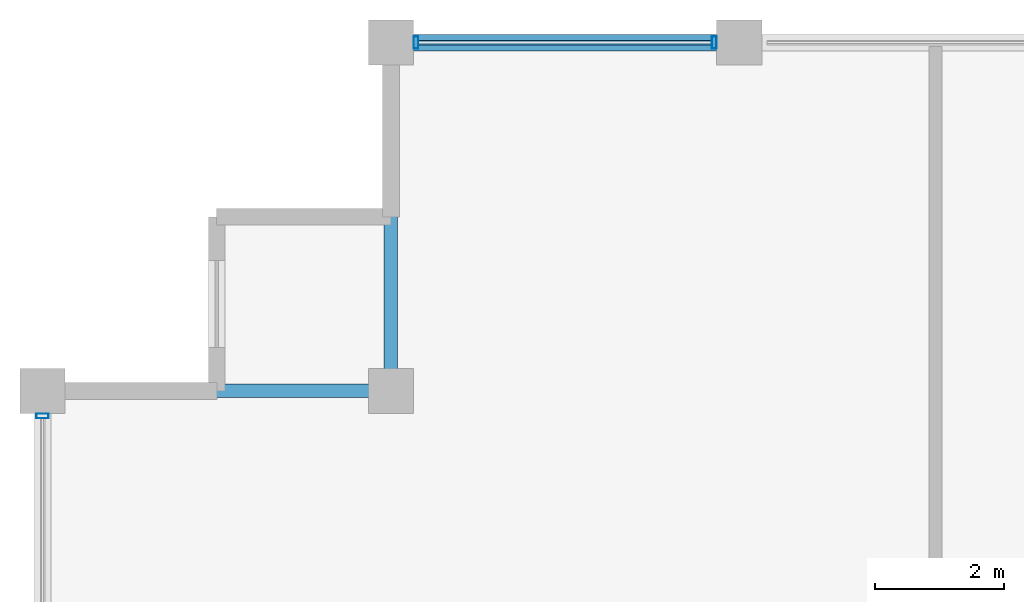
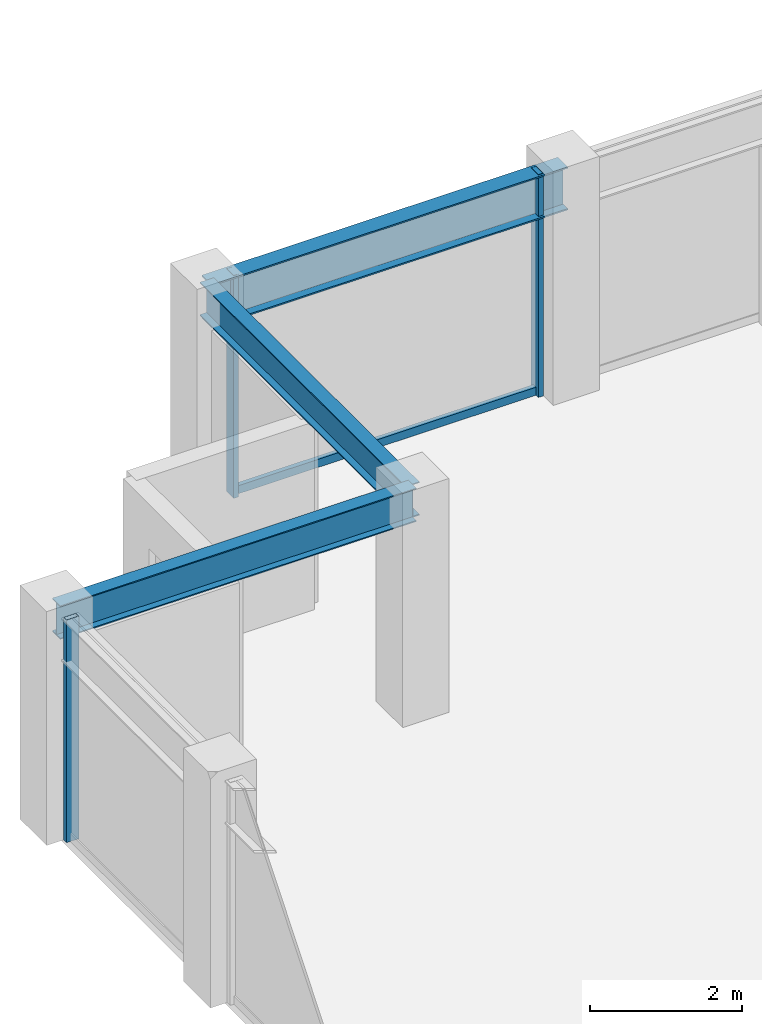
# One storey, part 16 of 30: 4 members, 3 beams, 2 elements without a shape of their own.
"""IFC4 building model written with IfcOpenShell, lengths in metres."""

import ifcopenshell
import ifcopenshell.guid

model = None  # the IFC model being written
_history = None  # IfcOwnerHistory: only IFC2X3 demands one
_inside = {}  # id of a spatial element -> (the spatial element, [elements in it])
_under = {}  # id of a project, library or spatial element -> (it, [spatial elements below it])
_declared = {}  # id of a project -> (the project, [libraries it declares])
_typed = {}  # id of a type object -> (the type object, [elements of that type])
_made_of = {}  # id of a material, layer set ... -> (it, [elements and type objects made of it])


def new_model(schema):
    """Start an empty IFC model of exactly this schema.

    Asked for "IFC4X3", IfcOpenShell would pick the latest addendum, in which some entities
    have other attributes; the version numbers below select the first issue.
    IFC2X3 requires an IfcOwnerHistory on every rooted entity: one is made here for all.
    """
    global model, _history
    if schema == "IFC4X3":
        model = ifcopenshell.file(schema_version=(4, 3, 0, 0))
    else:
        model = ifcopenshell.file(schema=schema)
    _inside.clear()
    _under.clear()
    _declared.clear()
    _typed.clear()
    _made_of.clear()
    _history = None
    if model.schema == "IFC2X3":
        org = make("IfcOrganization", Name="unknown")
        user = make(
            "IfcPersonAndOrganization",
            ThePerson=make("IfcPerson", FamilyName="unknown"),
            TheOrganization=org,
        )
        app = make(
            "IfcApplication",
            ApplicationDeveloper=org,
            Version="unknown",
            ApplicationFullName="unknown",
            ApplicationIdentifier="unknown",
        )
        _history = make(
            "IfcOwnerHistory",
            OwningUser=user,
            OwningApplication=app,
            ChangeAction="ADDED",
            CreationDate=0,
        )
    return model


def make(cls, **values):
    """One entity of the class cls with the attributes given. An attribute that is None is left unset."""
    return model.create_entity(
        cls, **{name: value for name, value in values.items() if value is not None}
    )


def rooted(cls, **values):
    """An entity with a GlobalId (a new one), such as an element, a storey or a relation."""
    return make(cls, GlobalId=ifcopenshell.guid.new(), OwnerHistory=_history, **values)


def si_unit(unit_type, name, prefix=None):
    """IfcSIUnit, for example si_unit("LENGTHUNIT", "METRE", prefix="MILLI")."""
    return make("IfcSIUnit", UnitType=unit_type, Prefix=prefix, Name=name)


def assignment(units):
    """IfcUnitAssignment: the units of a project."""
    return None if units is None else make("IfcUnitAssignment", Units=units)


def point(xyz):
    """IfcCartesianPoint."""
    return None if xyz is None else make("IfcCartesianPoint", Coordinates=xyz)


def direction(xyz):
    """IfcDirection."""
    return None if xyz is None else make("IfcDirection", DirectionRatios=xyz)


def frame(location, z_axis=None, x_axis=None):
    """IfcAxis2Placement3D, a coordinate frame: its origin and axes. An axis left out is left unset."""
    return make(
        "IfcAxis2Placement3D",
        Location=point(location),
        Axis=direction(z_axis),
        RefDirection=direction(x_axis),
    )


def frame_2d(location, x_axis=None):
    """IfcAxis2Placement2D, a coordinate frame in the plane: its origin and x axis."""
    return make(
        "IfcAxis2Placement2D", Location=point(location), RefDirection=direction(x_axis)
    )


def origin():
    """The frame at (0, 0, 0) with its axes left unset."""
    return frame((0.0, 0.0, 0.0))


def origin_2d():
    """The frame at (0, 0) in the plane with its x axis left unset."""
    return frame_2d((0.0, 0.0))


def place(relative_to, where):
    """IfcLocalPlacement: puts the frame where relative to a parent placement (None: the world)."""
    return make(
        "IfcLocalPlacement", PlacementRelTo=relative_to, RelativePlacement=where
    )


def context(
    kind, dimensions, precision=None, world=None, true_north=None, identifier=None
):
    """IfcGeometricRepresentationContext, for example the 3D "Model" context."""
    return make(
        "IfcGeometricRepresentationContext",
        ContextIdentifier=identifier,
        ContextType=kind,
        CoordinateSpaceDimension=dimensions,
        Precision=precision,
        WorldCoordinateSystem=world,
        TrueNorth=true_north,
    )


def subcontext(parent, identifier, kind, view, scale=None):
    """IfcGeometricRepresentationSubContext, for example "Body" below "Model"."""
    return make(
        "IfcGeometricRepresentationSubContext",
        ContextIdentifier=identifier,
        ContextType=kind,
        ParentContext=parent,
        TargetScale=scale,
        TargetView=view,
    )


def project(units=None, contexts=None):
    """IfcProject with its units and contexts."""
    return rooted(
        "IfcProject",
        Name="project",
        RepresentationContexts=contexts,
        UnitsInContext=assignment(units),
    )


def spatial(cls, under=None, at=None, **own):
    """A site, building, storey or space (cls), placed at a placement, below another one or the project."""
    s = rooted(cls, ObjectPlacement=at, **own)
    if under is not None:
        _under.setdefault(under.id(), (under, []))[1].append(s)
    return s


def profile(cls, at=None, kind="AREA", **sizes):
    """A parametric profile (cls). Its sizes go by their IFC names, for example OverallWidth=200.0."""
    return make(cls, ProfileType=kind, Position=at, **sizes)


def hollow_rectangle(**sizes):
    """IfcRectangleHollowProfileDef."""
    return profile("IfcRectangleHollowProfileDef", **sizes)


def i_section(**sizes):
    """IfcIShapeProfileDef."""
    return profile("IfcIShapeProfileDef", **sizes)


def extrude(swept, where, along, depth):
    """IfcExtrudedAreaSolid: the profile swept, set in the frame where, extruded along a direction by depth."""
    return make(
        "IfcExtrudedAreaSolid",
        SweptArea=swept,
        Position=where,
        ExtrudedDirection=direction(along),
        Depth=depth,
    )


def shape(context_of_items, identifier, shape_type, items):
    """IfcShapeRepresentation: the items that make up one representation, for example the "Body"."""
    return make(
        "IfcShapeRepresentation",
        ContextOfItems=context_of_items,
        RepresentationIdentifier=identifier,
        RepresentationType=shape_type,
        Items=items,
    )


def material(Name=None, Category=None):
    """IfcMaterial."""
    return make("IfcMaterial", Name=Name, Category=Category)


def layer(
    of_material, thickness, ventilated=None, Name=None, Category=None, Priority=None
):
    """IfcMaterialLayer: one layer of a wall or slab, of a material (None: an air gap)."""
    return make(
        "IfcMaterialLayer",
        Material=of_material,
        LayerThickness=thickness,
        IsVentilated=ventilated,
        Name=Name,
        Category=Category,
        Priority=Priority,
    )


def layer_set(layers, Name=None):
    """IfcMaterialLayerSet."""
    return make("IfcMaterialLayerSet", MaterialLayers=layers, LayerSetName=Name)


def material_profile(
    of_material, cross_section, Name=None, Category=None, Priority=None
):
    """IfcMaterialProfile: a cross section and its material."""
    return make(
        "IfcMaterialProfile",
        Name=Name,
        Material=of_material,
        Profile=cross_section,
        Priority=Priority,
        Category=Category,
    )


def profile_set(profiles, Name=None, composite=None):
    """IfcMaterialProfileSet."""
    return make(
        "IfcMaterialProfileSet",
        Name=Name,
        MaterialProfiles=profiles,
        CompositeProfile=composite,
    )


def made_of(thing, what):
    """Note that an element or type object is made of a material, layer set ...; save() writes the relation."""
    if what is not None:
        _made_of.setdefault(what.id(), (what, []))[1].append(thing)
    return thing


def type_object(cls, material=None, **own):
    """A type object (cls), such as IfcWallType, which elements share."""
    return made_of(rooted(cls, **own), material)


def element(
    cls,
    number,
    at=None,
    inside=None,
    cuts=None,
    type_object=None,
    material=None,
    context=None,
    identifier="Body",
    shape_type=None,
    held_by="IfcProductDefinitionShape",
    body=None,
    shapes=None,
    **own,
):
    """One element of the class cls, such as IfcWall. Its Tag is "e" and its number.

    at: its placement. inside: the storey or other place that contains it. cuts: it is an
    opening in that element (IfcRelVoidsElement). A single representation is given by context,
    identifier, shape_type and body (its items); several are given by shapes. held_by: the class
    of the entity that holds the representations. save() writes the other relations.
    """
    e = rooted(cls, Tag="e%d" % number, ObjectPlacement=at, **own)
    if body is not None:
        shapes = [shape(context, identifier, shape_type, body)]
    if shapes is not None:
        e.Representation = make(held_by, Representations=shapes)
    if inside is not None:
        _inside.setdefault(inside.id(), (inside, []))[1].append(e)
    if cuts is not None:
        rooted(
            "IfcRelVoidsElement", RelatingBuildingElement=cuts, RelatedOpeningElement=e
        )
    if type_object is not None:
        _typed.setdefault(type_object.id(), (type_object, []))[1].append(e)
    return made_of(e, material)


def aggregate(whole, parts):
    """IfcRelAggregates: a whole, such as a stair, and the parts it consists of."""
    return rooted("IfcRelAggregates", RelatingObject=whole, RelatedObjects=parts)


def save(model, path):
    """Write the relations noted so far, then the file.

    IfcRelAggregates (storeys below a building ...), IfcRelContainedInSpatialStructure (elements
    in a storey), IfcRelDefinesByType, IfcRelAssociatesMaterial and IfcRelDeclares: one each for
    every whole, place, type object, material and project.
    """
    for whole, parts in _under.values():
        aggregate(whole, parts)
    for where, things in _inside.values():
        rooted(
            "IfcRelContainedInSpatialStructure",
            RelatedElements=things,
            RelatingStructure=where,
        )
    for kind, things in _typed.values():
        rooted("IfcRelDefinesByType", RelatedObjects=things, RelatingType=kind)
    for what, things in _made_of.values():
        rooted("IfcRelAssociatesMaterial", RelatedObjects=things, RelatingMaterial=what)
    for by, libraries in _declared.values():
        rooted("IfcRelDeclares", RelatingContext=by, RelatedDefinitions=libraries)
    model.write(path)


model = new_model("IFC4")

# Units and contexts
model_context = context("Model", 3, precision=1e-05, world=origin(), true_north=direction((0.0, 1.0)))
body_context = subcontext(model_context, "Body", "Model", "MODEL_VIEW")
ifc_project = project(units=[si_unit("LENGTHUNIT", "METRE"), si_unit("AREAUNIT", "SQUARE_METRE"), si_unit("VOLUMEUNIT", "CUBIC_METRE"), si_unit("PLANEANGLEUNIT", "RADIAN"), si_unit("MASSUNIT", "GRAM", prefix="KILO")], contexts=[model_context])

# Site, building, storey
site_placement = place(None, origin())
site = spatial("IfcSite", under=ifc_project, at=site_placement, CompositionType="ELEMENT")
building_placement = place(site_placement, origin())
building = spatial("IfcBuilding", under=site, at=building_placement, Name="Surkhivell Harbour Commons", CompositionType="ELEMENT")
storey_placement = place(building_placement, frame((0.0, 0.0, 292.5)))
storey = spatial("IfcBuildingStorey", under=building, at=storey_placement, Name="L76", CompositionType="ELEMENT", Elevation=292.5)

# Beams
ifc_material_1 = material(Name="Steel S355", Category="steel")
ifc_material_profile_1 = material_profile(ifc_material_1, i_section(OverallWidth=0.2099609375, OverallDepth=0.537109375, WebThickness=0.0107421875, FlangeThickness=0.017333984375, at=origin_2d()), Name="UB533x210x101")
ifc_profile_set_1 = profile_set([ifc_material_profile_1], Name="Steel S355")
beam_type_1 = type_object("IfcBeamType", Name="BM-GRD-533B", PredefinedType="BEAM", material=ifc_profile_set_1)
for number, where, z_axis, x_axis, name in (
    (1, (-27.0, 20.5, 3.301513671875), (1.0, 0.0, 0.0), (0.0, 1.0, 0.0), "L76 Floor Girder (-27.0,20.5)"),
    (2, (-21.60009765625, 20.5, 3.301513671875), (0.0, 1.0, 0.0), (-1.0, 0.0, 0.0), "L76 Floor Girder (-21.6,20.5)"),
):
    element("IfcBeam", number, at=place(storey_placement, frame(where, z_axis=z_axis, x_axis=x_axis)), inside=storey, type_object=beam_type_1, Name=name, PredefinedType="BEAM", context=body_context, shape_type="SweptSolid", body=[
        extrude(i_section(OverallWidth=0.2099609375, OverallDepth=0.537109375, WebThickness=0.0107421875, FlangeThickness=0.017333984375, at=origin_2d()), origin(), (0.0, 0.0, 1.0), 5.39990234375),
    ])
ifc_material_profile_2 = material_profile(ifc_material_1, i_section(OverallWidth=0.256103515625, OverallDepth=0.693115234375, WebThickness=0.014404296875, FlangeThickness=0.023681640625, at=origin_2d()), Name="UB686x254x170")
ifc_profile_set_2 = profile_set([ifc_material_profile_2], Name="Steel S355")
beam_type_2 = type_object("IfcBeamType", Name="BM-SPN-686", PredefinedType="SPANDREL", material=ifc_profile_set_2)
beam_placement = place(storey_placement, frame((-21.60009765625, 25.89990234375, 3.223388671875), z_axis=(1.0, 0.0, 0.0), x_axis=(0.0, 1.0, 0.0)))
element("IfcBeam", 3, at=beam_placement, inside=storey, type_object=beam_type_2, Name="L76 Tube Spandrel (-21.6,25.9)", PredefinedType="SPANDREL", context=body_context, shape_type="SweptSolid", body=[
    extrude(i_section(OverallWidth=0.256103515625, OverallDepth=0.693115234375, WebThickness=0.014404296875, FlangeThickness=0.023681640625, at=origin_2d()), origin(), (0.0, 0.0, 1.0), 5.400146484375),
])

# Curtain wall, members
ifc_material_2 = material(Name="Anodised pale-metal aluminium and insulated glazing", Category="aluminium")
ifc_layer = layer(ifc_material_2, 0.175048828125)
ifc_layer_set = layer_set([ifc_layer], Name="Anodised pale-metal aluminium and insulated glazing")
curtain_wall_type = type_object("IfcCurtainWallType", Name="CW-SYS-Z4", PredefinedType="NOTDEFINED", material=ifc_layer_set)
curtain_wall_1_placement = place(storey_placement, origin())
curtain_wall_1 = element("IfcCurtainWall", 4, at=curtain_wall_1_placement, inside=storey, type_object=curtain_wall_type, Name="L76 Curtain Wall CW-L76-E07S2", PredefinedType="NOTDEFINED")
ifc_material_3 = material(Name="Anodised pale-metal aluminium alloy 6063-T6", Category="aluminium")
ifc_material_profile_3 = material_profile(ifc_material_3, hollow_rectangle(XDim=0.074951171875, YDim=0.18994140625, WallThickness=0.00390625, at=origin_2d()), Name="ALU-MULL-75x190")
ifc_profile_set_3 = profile_set([ifc_material_profile_3], Name="Anodised pale-metal aluminium alloy 6063-T6")
member_type_1 = type_object("IfcMemberType", Name="CWM-190", PredefinedType="MULLION", material=ifc_profile_set_3)
member_1_placement = place(storey_placement, frame((-16.589599609375, 25.89990234375, 0.0), z_axis=(0.0, 0.0, 1.0), x_axis=(-1.0, 0.0, 0.0)))
member_1 = element("IfcMember", 5, at=member_1_placement, type_object=member_type_1, Name="CW-Z4 mullion 3", PredefinedType="MULLION", context=body_context, shape_type="SweptSolid", body=[
    extrude(hollow_rectangle(XDim=0.074951171875, YDim=0.18994140625, WallThickness=0.00390625, at=origin_2d()), origin(), (0.0, 0.0, 1.0), 3.570068359375),
])
member_2_placement = place(storey_placement, frame((-21.21044921875, 25.89990234375, 0.0), z_axis=(0.0, 0.0, 1.0), x_axis=(-1.0, 0.0, 0.0)))
member_2 = element("IfcMember", 6, at=member_2_placement, type_object=member_type_1, Name="CW-Z4 mullion 4", PredefinedType="MULLION", context=body_context, shape_type="SweptSolid", body=[
    extrude(hollow_rectangle(XDim=0.074951171875, YDim=0.18994140625, WallThickness=0.00390625, at=origin_2d()), origin(), (0.0, 0.0, 1.0), 3.570068359375),
])

# Curtain wall, member
curtain_wall_2_placement = place(storey_placement, origin())
curtain_wall_2 = element("IfcCurtainWall", 7, at=curtain_wall_2_placement, inside=storey, type_object=curtain_wall_type, Name="L76 Curtain Wall CW-L76-E12S1", PredefinedType="NOTDEFINED")
member_3_placement = place(storey_placement, frame((-27.0, 20.110595703125, 0.0), z_axis=(0.0, 0.0, 1.0), x_axis=(0.0, -1.0, 0.0)))
member_3 = element("IfcMember", 8, at=member_3_placement, type_object=member_type_1, Name="CW-Z4 mullion 1", PredefinedType="MULLION", context=body_context, shape_type="SweptSolid", body=[
    extrude(hollow_rectangle(XDim=0.074951171875, YDim=0.18994140625, WallThickness=0.00390625, at=origin_2d()), origin(), (0.0, 0.0, 1.0), 3.570068359375),
])
aggregate(curtain_wall_2, [member_3])

# Member
ifc_material_4 = material(Name="Champagne anodised aluminium alloy 6063-T6", Category="aluminium")
ifc_material_profile_4 = material_profile(ifc_material_4, hollow_rectangle(XDim=0.070068359375, YDim=0.1298828125, WallThickness=0.00341796875, at=origin_2d()), Name="ALU-TRAN-70x130")
ifc_profile_set_4 = profile_set([ifc_material_profile_4], Name="Champagne anodised aluminium alloy 6063-T6")
member_type_2 = type_object("IfcMemberType", Name="CWT-130", PredefinedType="USERDEFINED", material=ifc_profile_set_4)
member_4_placement = place(storey_placement, frame((-16.626953125, 25.89990234375, 0.06494140625), z_axis=(-1.0, 0.0, 0.0), x_axis=(0.0, -1.0, 0.0)))
member_4 = element("IfcMember", 9, at=member_4_placement, type_object=member_type_2, Name="CW-Z4 transom 3.1", ObjectType="TRANSOM", PredefinedType="USERDEFINED", context=body_context, shape_type="SweptSolid", body=[
    extrude(hollow_rectangle(XDim=0.070068359375, YDim=0.1298828125, WallThickness=0.00341796875, at=origin_2d()), origin(), (0.0, 0.0, 1.0), 4.546142578125),
])

aggregate(curtain_wall_1, [member_1, member_2, member_4])

save(model, "model.ifc")
